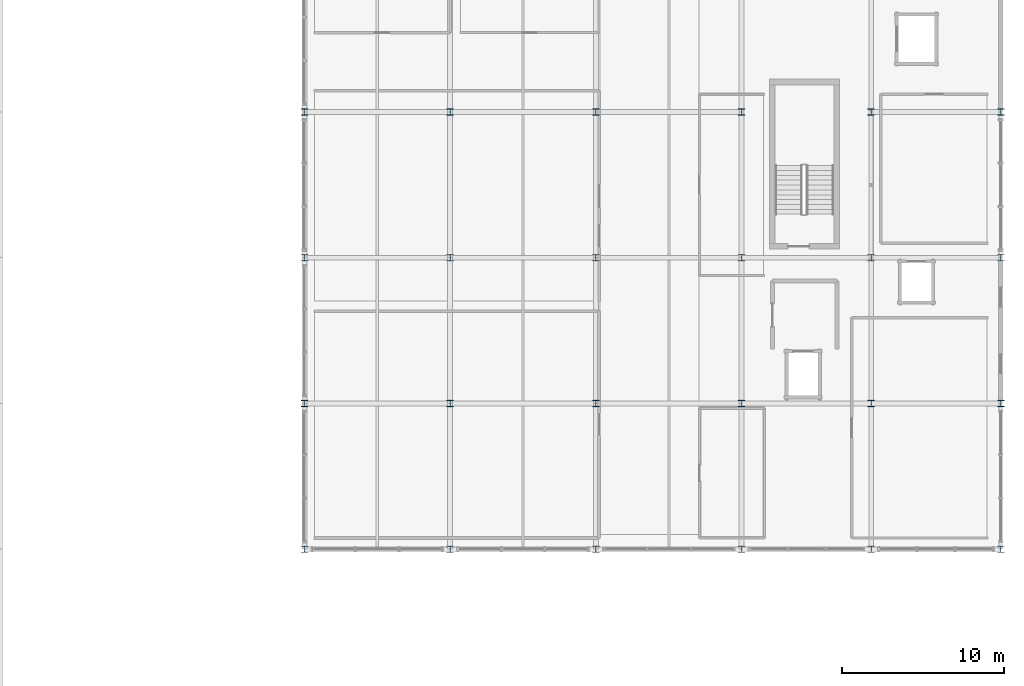
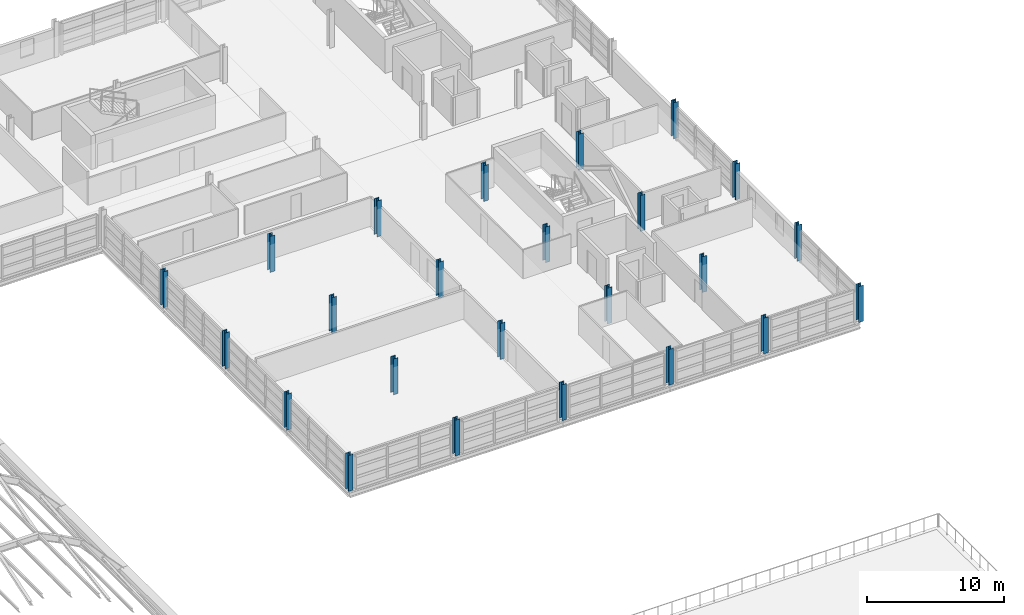
# One storey, part 4 of 86: 24 columns.
"""IFC4 building model written with IfcOpenShell, lengths in metres."""

from ifc_helpers import new_model, si_unit, direction, frame, origin, origin_2d, place, context, subcontext, project, spatial, i_section, extrude, material, material_profile, profile_set, type_object, element, save


model = new_model("IFC4")

# Units and contexts
model_context = context("Model", 3, precision=1e-05, world=origin(), true_north=direction((0.0, 1.0)))
body_context = subcontext(model_context, "Body", "Model", "MODEL_VIEW")
ifc_project = project(units=[si_unit("LENGTHUNIT", "METRE"), si_unit("AREAUNIT", "SQUARE_METRE"), si_unit("VOLUMEUNIT", "CUBIC_METRE"), si_unit("PLANEANGLEUNIT", "RADIAN"), si_unit("MASSUNIT", "GRAM", prefix="KILO")], contexts=[model_context])

# Site, building, storey
site_placement = place(None, origin())
site = spatial("IfcSite", under=ifc_project, at=site_placement, CompositionType="ELEMENT")
building_placement = place(site_placement, origin())
building = spatial("IfcBuilding", under=site, at=building_placement, Name="Chuanluo Vaults Station", CompositionType="ELEMENT")
storey_placement = place(building_placement, frame((0.0, 0.0, 14.39990234375)))
storey = spatial("IfcBuildingStorey", under=building, at=storey_placement, Name="L03", CompositionType="ELEMENT", Elevation=14.39990234375)

# Columns
ifc_material = material(Name="Steel Q355C", Category="steel")
ifc_material_profile = material_profile(ifc_material, i_section(OverallWidth=0.39990234375, OverallDepth=0.39990234375, WebThickness=0.012939453125, FlangeThickness=0.02099609375, FilletRadius=0.02197265625, at=origin_2d()))
ifc_profile_set = profile_set([ifc_material_profile], Name="Steel Q355C")
column_type = type_object("IfcColumnType", Name="COL-STL-HW400", PredefinedType="COLUMN", material=ifc_profile_set)
for number, where, z_axis, x_axis, name in (
    (1, (145.0, 67.5, 0.0), (0.0, 0.0, 1.0), (1.0, 0.0, 0.0), "Column L03-103"),
    (2, (145.0, 76.5, 0.0), (0.0, 0.0, 1.0), (1.0, 0.0, 0.0), "Column L03-104"),
    (3, (145.0, 85.5, 0.0), (0.0, 0.0, 1.0), (1.0, 0.0, 0.0), "Column L03-105"),
    (4, (145.0, 94.5, 0.0), (0.0, 0.0, 1.0), (1.0, 0.0, 0.0), "Column L03-106"),
    (5, (154.0, 67.5, 0.0), (0.0, 0.0, 1.0), (1.0, 0.0, 0.0), "Column L03-116"),
    (6, (154.0, 76.5, 0.0), (0.0, 0.0, 1.0), (1.0, 0.0, 0.0), "Column L03-117"),
    (7, (154.0, 85.5, 0.0), (0.0, 0.0, 1.0), (1.0, 0.0, 0.0), "Column L03-118"),
    (8, (154.0, 94.5, 0.0), (0.0, 0.0, 1.0), (1.0, 0.0, 0.0), "Column L03-119"),
    (9, (163.0, 67.5, 0.0), (0.0, 0.0, 1.0), (1.0, 0.0, 0.0), "Column L03-129"),
    (10, (163.0, 76.5, 0.0), (0.0, 0.0, 1.0), (1.0, 0.0, 0.0), "Column L03-130"),
    (11, (163.0, 85.5, 0.0), (0.0, 0.0, 1.0), (1.0, 0.0, 0.0), "Column L03-131"),
    (12, (163.0, 94.5, 0.0), (0.0, 0.0, 1.0), (1.0, 0.0, 0.0), "Column L03-132"),
    (13, (172.0, 67.5, 0.0), (0.0, 0.0, 1.0), (1.0, 0.0, 0.0), "Column L03-142"),
    (14, (172.0, 76.5, 0.0), (0.0, 0.0, 1.0), (1.0, 0.0, 0.0), "Column L03-143"),
    (15, (172.0, 85.5, 0.0), (0.0, 0.0, 1.0), (1.0, 0.0, 0.0), "Column L03-144"),
    (16, (172.0, 94.5, 0.0), (0.0, 0.0, 1.0), (1.0, 0.0, 0.0), "Column L03-145"),
    (17, (180.0, 67.5, 0.0), (0.0, 0.0, 1.0), (1.0, 0.0, 0.0), "Column L03-155"),
    (18, (180.0, 76.5, 0.0), (0.0, 0.0, 1.0), (1.0, 0.0, 0.0), "Column L03-156"),
    (19, (180.0, 85.5, 0.0), (0.0, 0.0, 1.0), (1.0, 0.0, 0.0), "Column L03-157"),
    (20, (180.0, 94.5, 0.0), (0.0, 0.0, 1.0), (1.0, 0.0, 0.0), "Column L03-158"),
    (21, (188.0, 67.5, 0.0), (0.0, 0.0, 1.0), (1.0, 0.0, 0.0), "Column L03-168"),
    (22, (188.0, 76.5, 0.0), (0.0, 0.0, 1.0), (1.0, 0.0, 0.0), "Column L03-169"),
    (23, (188.0, 85.5, 0.0), (0.0, 0.0, 1.0), (1.0, 0.0, 0.0), "Column L03-170"),
    (24, (188.0, 94.5, 0.0), (0.0, 0.0, 1.0), (1.0, 0.0, 0.0), "Column L03-171"),
):
    element("IfcColumn", number, at=place(storey_placement, frame(where, z_axis=z_axis, x_axis=x_axis)), inside=storey, type_object=column_type, Name=name, PredefinedType="COLUMN", context=body_context, shape_type="SweptSolid", body=[
        extrude(i_section(OverallWidth=0.39990234375, OverallDepth=0.39990234375, WebThickness=0.012939453125, FlangeThickness=0.02099609375, FilletRadius=0.02197265625, at=origin_2d()), origin(), (0.0, 0.0, 1.0), 3.2001953125),
    ])

save(model, "model.ifc")
